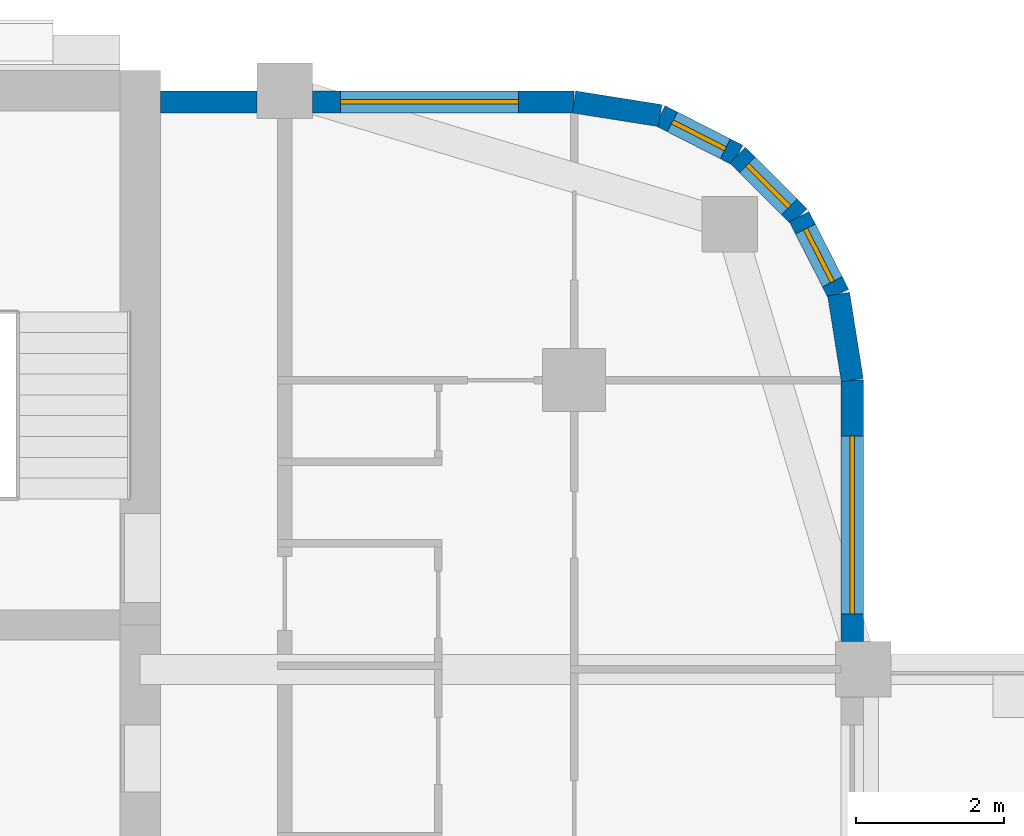
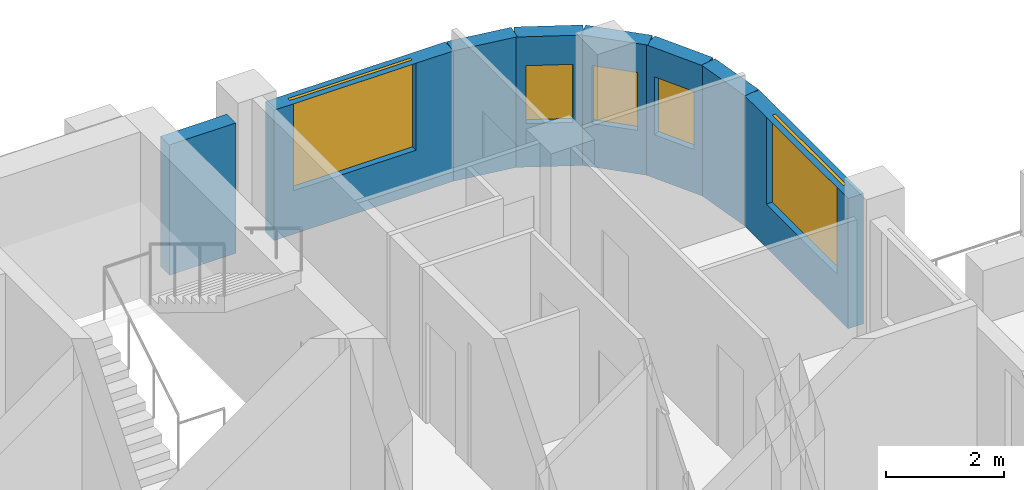
# One storey, part 9 of 13: 8 walls, 5 windows, 5 openings.
"""IFC4 building model written with IfcOpenShell, lengths in metres."""

from ifc_helpers import new_model, si_unit, direction, frame, frame_2d, origin, place, context, subcontext, project, spatial, rectangle, extrude, material, layer, layer_set, type_object, element, fill, save


model = new_model("IFC4")

# Units and contexts
model_context = context("Model", 3, precision=1e-05, world=origin(), true_north=direction((0.0, 1.0)))
body_context = subcontext(model_context, "Body", "Model", "MODEL_VIEW")
ifc_project = project(units=[si_unit("LENGTHUNIT", "METRE"), si_unit("AREAUNIT", "SQUARE_METRE"), si_unit("VOLUMEUNIT", "CUBIC_METRE"), si_unit("PLANEANGLEUNIT", "RADIAN"), si_unit("MASSUNIT", "GRAM", prefix="KILO")], contexts=[model_context])

# Site, building, storey
site_placement = place(None, origin())
site = spatial("IfcSite", under=ifc_project, at=site_placement, CompositionType="ELEMENT")
building_placement = place(site_placement, origin())
building = spatial("IfcBuilding", under=site, at=building_placement, Name="Ludao Terraces", CompositionType="ELEMENT")
storey_placement = place(building_placement, frame((0.0, 0.0, 179.199951171875)))
storey = spatial("IfcBuildingStorey", under=building, at=storey_placement, Name="L48", CompositionType="ELEMENT", Elevation=179.199951171875)

# Wall, opening, window
ifc_material_1 = material(Name="Granite cladding", Category="masonry")
ifc_layer_1 = layer(ifc_material_1, 0.0400390625, Category="stone")
ifc_material_2 = material(Name="Mineral wool")
ifc_layer_2 = layer(ifc_material_2, 0.06005859375)
ifc_material_3 = material(Name="Concrete C40", Category="concrete")
ifc_layer_3 = layer(ifc_material_3, 0.199951171875, Category="concrete")
ifc_layer_set_1 = layer_set([ifc_layer_1, ifc_layer_2, ifc_layer_3], Name="ENV Stone-clad wall 300")
wall_type = type_object("IfcWallType", Name="ENV Stone-clad wall 300", PredefinedType="SOLIDWALL", material=ifc_layer_set_1)
wall_1_placement = place(storey_placement, frame((104.35009765625, 77.074951171875, 0.0), z_axis=(0.0, 0.0, 1.0), x_axis=(0.0, 1.0, 0.0)))
wall_1 = element("IfcWall", 1, at=wall_1_placement, inside=storey, type_object=wall_type, Name="EW-L48-E5", PredefinedType="SOLIDWALL", context=body_context, shape_type="SweptSolid", body=[
    extrude(rectangle(XDim=3.525146484375, YDim=0.300048828125, at=frame_2d((1.7626953125, 0.0))), origin(), (0.0, 0.0, 1.0), 2.699951171875),
])
opening_1_placement = place(wall_1_placement, frame((0.375, 0.0, 0.89990234375)))
opening_1 = element("IfcOpeningElement", 2, at=opening_1_placement, cuts=wall_1, Name="Opening W1", PredefinedType="OPENING", context=body_context, shape_type="SweptSolid", body=[
    extrude(rectangle(XDim=2.39990234375, YDim=1.800048828125, at=frame_2d((1.199951171875, 0.89990234375))), frame((0.0, 0.16015625, 0.0), z_axis=(0.0, -1.0, 0.0), x_axis=(1.0, 0.0, 0.0)), (0.0, 0.0, 1.0), 0.320068359375),
])
ifc_material_4 = material(Name="Clear glass in aluminium frame", Category="aluminium")
ifc_layer_4 = layer(ifc_material_4, 0.06005859375)
ifc_layer_set_2 = layer_set([ifc_layer_4], Name="ENV Window W1 2400x1800")
window_type_1 = type_object("IfcWindowType", Name="ENV Window W1 2400x1800", PartitioningType="DOUBLE_PANEL_VERTICAL", PredefinedType="WINDOW", material=ifc_layer_set_2)
window_1_placement = place(opening_1_placement, origin())
window_1 = element("IfcWindow", 3, at=window_1_placement, inside=storey, type_object=window_type_1, Name="W-L48-E5-1", OverallHeight=1.800048828125, OverallWidth=2.39990234375, PartitioningType="DOUBLE_PANEL_VERTICAL", PredefinedType="WINDOW", context=body_context, shape_type="SweptSolid", body=[
    extrude(rectangle(XDim=2.39990234375, YDim=1.800048828125, at=frame_2d((1.199951171875, 0.89990234375))), frame((0.0, 0.030029296875, 0.0), z_axis=(0.0, -1.0, 0.0), x_axis=(1.0, 0.0, 0.0)), (0.0, 0.0, 1.0), 0.06005859375),
])
fill(opening_1, window_1)

# Wall
wall_2_placement = place(storey_placement, frame((95.02490234375, 84.35009765625, 0.0), z_axis=(0.0, 0.0, 1.0), x_axis=(1.0, 0.0, 0.0)))
element("IfcWall", 4, at=wall_2_placement, inside=storey, type_object=wall_type, Name="EW-L48-N3", PredefinedType="SOLIDWALL", context=body_context, shape_type="SweptSolid", body=[
    extrude(rectangle(XDim=1.300048828125, YDim=0.300048828125, at=frame_2d((0.64990234375, 0.0))), origin(), (0.0, 0.0, 1.0), 2.699951171875),
])

# Wall, opening, window
wall_3_placement = place(storey_placement, frame((97.074951171875, 84.35009765625, 0.0), z_axis=(0.0, 0.0, 1.0), x_axis=(1.0, 0.0, 0.0)))
wall_3 = element("IfcWall", 5, at=wall_3_placement, inside=storey, type_object=wall_type, Name="EW-L48-N4", PredefinedType="SOLIDWALL", context=body_context, shape_type="SweptSolid", body=[
    extrude(rectangle(XDim=3.525146484375, YDim=0.300048828125, at=frame_2d((1.7626953125, 0.0))), origin(), (0.0, 0.0, 1.0), 2.699951171875),
])
opening_2_placement = place(wall_3_placement, frame((0.375, 0.0, 0.89990234375)))
opening_2 = element("IfcOpeningElement", 6, at=opening_2_placement, cuts=wall_3, Name="Opening W1", PredefinedType="OPENING", context=body_context, shape_type="SweptSolid", body=[
    extrude(rectangle(XDim=2.39990234375, YDim=1.800048828125, at=frame_2d((1.199951171875, 0.89990234375))), frame((0.0, 0.16015625, 0.0), z_axis=(0.0, -1.0, 0.0), x_axis=(1.0, 0.0, 0.0)), (0.0, 0.0, 1.0), 0.320068359375),
])
window_2_placement = place(opening_2_placement, origin())
window_2 = element("IfcWindow", 7, at=window_2_placement, inside=storey, type_object=window_type_1, Name="W-L48-N4-1", OverallHeight=1.800048828125, OverallWidth=2.39990234375, PartitioningType="DOUBLE_PANEL_VERTICAL", PredefinedType="WINDOW", context=body_context, shape_type="SweptSolid", body=[
    extrude(rectangle(XDim=2.39990234375, YDim=1.800048828125, at=frame_2d((1.199951171875, 0.89990234375))), frame((0.0, 0.030029296875, 0.0), z_axis=(0.0, -1.0, 0.0), x_axis=(1.0, 0.0, 0.0)), (0.0, 0.0, 1.0), 0.06005859375),
])
fill(opening_2, window_2)

# Wall
wall_4_placement = place(storey_placement, frame((104.35009765625, 80.60009765625, 0.0), z_axis=(0.0, 0.0, 1.0), x_axis=(-0.156496880861, 0.987678452879, 0.0)))
element("IfcWall", 8, at=wall_4_placement, inside=storey, type_object=wall_type, Name="EW-L48-NE1", PredefinedType="SOLIDWALL", context=body_context, shape_type="SweptSolid", body=[
    extrude(rectangle(XDim=1.173095703125, YDim=0.300048828125, at=frame_2d((0.58642578125, 0.0))), origin(), (0.0, 0.0, 1.0), 2.699951171875),
])

# Wall, opening, window
wall_5_placement = place(storey_placement, frame((104.16650390625, 81.7587890625, 0.0), z_axis=(0.0, 0.0, 1.0), x_axis=(-0.454025524128, 0.890988677504, 0.0)))
wall_5 = element("IfcWall", 9, at=wall_5_placement, inside=storey, type_object=wall_type, Name="EW-L48-NE2", PredefinedType="SOLIDWALL", context=body_context, shape_type="SweptSolid", body=[
    extrude(rectangle(XDim=1.17333984375, YDim=0.300048828125, at=frame_2d((0.586669921875, 0.0))), origin(), (0.0, 0.0, 1.0), 2.699951171875),
])
opening_3_placement = place(wall_5_placement, frame((0.1865234375, 0.0, 0.89990234375)))
opening_3 = element("IfcOpeningElement", 10, at=opening_3_placement, cuts=wall_5, Name="Opening W3", PredefinedType="OPENING", context=body_context, shape_type="SweptSolid", body=[
    extrude(rectangle(XDim=0.800048828125, YDim=1.199951171875, at=frame_2d((0.39990234375, 0.60009765625))), frame((0.0, 0.16015625, 0.0), z_axis=(0.0, -1.0, 0.0), x_axis=(1.0, 0.0, 0.0)), (0.0, 0.0, 1.0), 0.320068359375),
])
ifc_layer_5 = layer(ifc_material_4, 0.06005859375)
ifc_layer_set_3 = layer_set([ifc_layer_5], Name="ENV Window W3 800x1200")
window_type_2 = type_object("IfcWindowType", Name="ENV Window W3 800x1200", PartitioningType="SINGLE_PANEL", PredefinedType="WINDOW", material=ifc_layer_set_3)
window_3_placement = place(opening_3_placement, origin())
window_3 = element("IfcWindow", 11, at=window_3_placement, inside=storey, type_object=window_type_2, Name="W-L48-NE2", OverallHeight=1.199951171875, OverallWidth=0.800048828125, PartitioningType="SINGLE_PANEL", PredefinedType="WINDOW", context=body_context, shape_type="SweptSolid", body=[
    extrude(rectangle(XDim=0.800048828125, YDim=1.199951171875, at=frame_2d((0.39990234375, 0.60009765625))), frame((0.0, 0.030029296875, 0.0), z_axis=(0.0, -1.0, 0.0), x_axis=(1.0, 0.0, 0.0)), (0.0, 0.0, 1.0), 0.06005859375),
])
fill(opening_3, window_3)

wall_6_placement = place(storey_placement, frame((103.6337890625, 82.80419921875, 0.0), z_axis=(0.0, 0.0, 1.0), x_axis=(-0.707106781187, 0.707106781187, 0.0)))
wall_6 = element("IfcWall", 12, at=wall_6_placement, inside=storey, type_object=wall_type, Name="EW-L48-NE3", PredefinedType="SOLIDWALL", context=body_context, shape_type="SweptSolid", body=[
    extrude(rectangle(XDim=1.173095703125, YDim=0.300048828125, at=frame_2d((0.58642578125, 0.0))), origin(), (0.0, 0.0, 1.0), 2.699951171875),
])
opening_4_placement = place(wall_6_placement, frame((0.1865234375, 0.0, 0.89990234375)))
opening_4 = element("IfcOpeningElement", 13, at=opening_4_placement, cuts=wall_6, Name="Opening W3", PredefinedType="OPENING", context=body_context, shape_type="SweptSolid", body=[
    extrude(rectangle(XDim=0.800048828125, YDim=1.199951171875, at=frame_2d((0.39990234375, 0.60009765625))), frame((0.0, 0.16015625, 0.0), z_axis=(0.0, -1.0, 0.0), x_axis=(1.0, 0.0, 0.0)), (0.0, 0.0, 1.0), 0.320068359375),
])
window_4_placement = place(opening_4_placement, origin())
window_4 = element("IfcWindow", 14, at=window_4_placement, inside=storey, type_object=window_type_2, Name="W-L48-NE3", OverallHeight=1.199951171875, OverallWidth=0.800048828125, PartitioningType="SINGLE_PANEL", PredefinedType="WINDOW", context=body_context, shape_type="SweptSolid", body=[
    extrude(rectangle(XDim=0.800048828125, YDim=1.199951171875, at=frame_2d((0.39990234375, 0.60009765625))), frame((0.0, 0.030029296875, 0.0), z_axis=(0.0, -1.0, 0.0), x_axis=(1.0, 0.0, 0.0)), (0.0, 0.0, 1.0), 0.06005859375),
])
fill(opening_4, window_4)

wall_7_placement = place(storey_placement, frame((102.80419921875, 83.6337890625, 0.0), z_axis=(0.0, 0.0, 1.0), x_axis=(-0.890988677504, 0.454025524128, 0.0)))
wall_7 = element("IfcWall", 15, at=wall_7_placement, inside=storey, type_object=wall_type, Name="EW-L48-NE4", PredefinedType="SOLIDWALL", context=body_context, shape_type="SweptSolid", body=[
    extrude(rectangle(XDim=1.17333984375, YDim=0.300048828125, at=frame_2d((0.586669921875, 0.0))), origin(), (0.0, 0.0, 1.0), 2.699951171875),
])
opening_5_placement = place(wall_7_placement, frame((0.1865234375, 0.0, 0.89990234375)))
opening_5 = element("IfcOpeningElement", 16, at=opening_5_placement, cuts=wall_7, Name="Opening W3", PredefinedType="OPENING", context=body_context, shape_type="SweptSolid", body=[
    extrude(rectangle(XDim=0.800048828125, YDim=1.199951171875, at=frame_2d((0.39990234375, 0.60009765625))), frame((0.0, 0.16015625, 0.0), z_axis=(0.0, -1.0, 0.0), x_axis=(1.0, 0.0, 0.0)), (0.0, 0.0, 1.0), 0.320068359375),
])
window_5_placement = place(opening_5_placement, origin())
window_5 = element("IfcWindow", 17, at=window_5_placement, inside=storey, type_object=window_type_2, Name="W-L48-NE4", OverallHeight=1.199951171875, OverallWidth=0.800048828125, PartitioningType="SINGLE_PANEL", PredefinedType="WINDOW", context=body_context, shape_type="SweptSolid", body=[
    extrude(rectangle(XDim=0.800048828125, YDim=1.199951171875, at=frame_2d((0.39990234375, 0.60009765625))), frame((0.0, 0.030029296875, 0.0), z_axis=(0.0, -1.0, 0.0), x_axis=(1.0, 0.0, 0.0)), (0.0, 0.0, 1.0), 0.06005859375),
])
fill(opening_5, window_5)

# Wall
wall_8_placement = place(storey_placement, frame((101.7587890625, 84.16650390625, 0.0), z_axis=(0.0, 0.0, 1.0), x_axis=(-0.987678452879, 0.156496880861, 0.0)))
element("IfcWall", 18, at=wall_8_placement, inside=storey, type_object=wall_type, Name="EW-L48-NE5", PredefinedType="SOLIDWALL", context=body_context, shape_type="SweptSolid", body=[
    extrude(rectangle(XDim=1.173095703125, YDim=0.300048828125, at=frame_2d((0.58642578125, 0.0))), origin(), (0.0, 0.0, 1.0), 2.699951171875),
])

save(model, "model.ifc")
